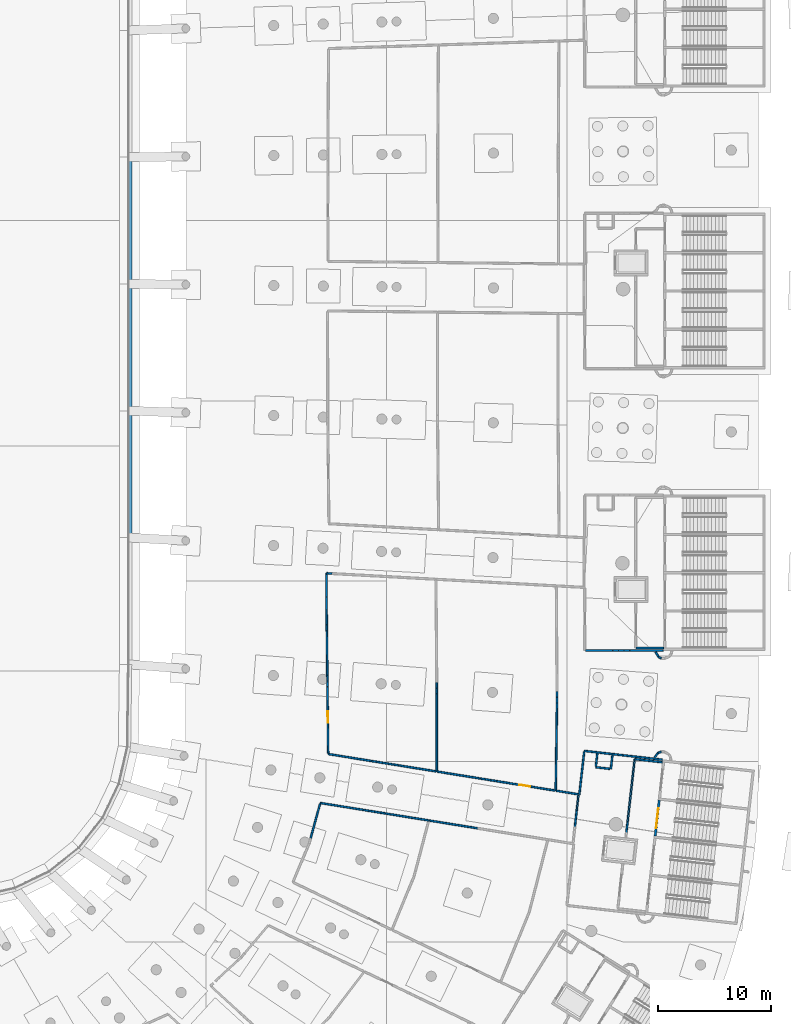
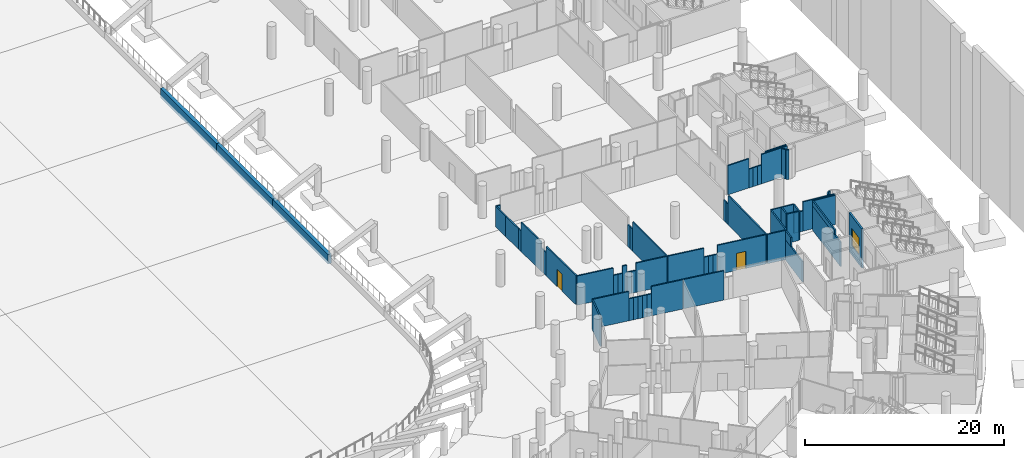
# One storey, part 61 of 142: 63 walls, 3 doors, 3 openings.
"""IFC4 building model written with IfcOpenShell, lengths in metres."""

import ifcopenshell
import ifcopenshell.guid

model = None  # the IFC model being written
_history = None  # IfcOwnerHistory: only IFC2X3 demands one
_inside = {}  # id of a spatial element -> (the spatial element, [elements in it])
_under = {}  # id of a project, library or spatial element -> (it, [spatial elements below it])
_declared = {}  # id of a project -> (the project, [libraries it declares])
_typed = {}  # id of a type object -> (the type object, [elements of that type])
_made_of = {}  # id of a material, layer set ... -> (it, [elements and type objects made of it])


def new_model(schema):
    """Start an empty IFC model of exactly this schema.

    Asked for "IFC4X3", IfcOpenShell would pick the latest addendum, in which some entities
    have other attributes; the version numbers below select the first issue.
    IFC2X3 requires an IfcOwnerHistory on every rooted entity: one is made here for all.
    """
    global model, _history
    if schema == "IFC4X3":
        model = ifcopenshell.file(schema_version=(4, 3, 0, 0))
    else:
        model = ifcopenshell.file(schema=schema)
    _inside.clear()
    _under.clear()
    _declared.clear()
    _typed.clear()
    _made_of.clear()
    _history = None
    if model.schema == "IFC2X3":
        org = make("IfcOrganization", Name="unknown")
        user = make(
            "IfcPersonAndOrganization",
            ThePerson=make("IfcPerson", FamilyName="unknown"),
            TheOrganization=org,
        )
        app = make(
            "IfcApplication",
            ApplicationDeveloper=org,
            Version="unknown",
            ApplicationFullName="unknown",
            ApplicationIdentifier="unknown",
        )
        _history = make(
            "IfcOwnerHistory",
            OwningUser=user,
            OwningApplication=app,
            ChangeAction="ADDED",
            CreationDate=0,
        )
    return model


def make(cls, **values):
    """One entity of the class cls with the attributes given. An attribute that is None is left unset."""
    return model.create_entity(
        cls, **{name: value for name, value in values.items() if value is not None}
    )


def rooted(cls, **values):
    """An entity with a GlobalId (a new one), such as an element, a storey or a relation."""
    return make(cls, GlobalId=ifcopenshell.guid.new(), OwnerHistory=_history, **values)


def si_unit(unit_type, name, prefix=None):
    """IfcSIUnit, for example si_unit("LENGTHUNIT", "METRE", prefix="MILLI")."""
    return make("IfcSIUnit", UnitType=unit_type, Prefix=prefix, Name=name)


def assignment(units):
    """IfcUnitAssignment: the units of a project."""
    return None if units is None else make("IfcUnitAssignment", Units=units)


def point(xyz):
    """IfcCartesianPoint."""
    return None if xyz is None else make("IfcCartesianPoint", Coordinates=xyz)


def direction(xyz):
    """IfcDirection."""
    return None if xyz is None else make("IfcDirection", DirectionRatios=xyz)


def frame(location, z_axis=None, x_axis=None):
    """IfcAxis2Placement3D, a coordinate frame: its origin and axes. An axis left out is left unset."""
    return make(
        "IfcAxis2Placement3D",
        Location=point(location),
        Axis=direction(z_axis),
        RefDirection=direction(x_axis),
    )


def frame_2d(location, x_axis=None):
    """IfcAxis2Placement2D, a coordinate frame in the plane: its origin and x axis."""
    return make(
        "IfcAxis2Placement2D", Location=point(location), RefDirection=direction(x_axis)
    )


def origin():
    """The frame at (0, 0, 0) with its axes left unset."""
    return frame((0.0, 0.0, 0.0))


def place(relative_to, where):
    """IfcLocalPlacement: puts the frame where relative to a parent placement (None: the world)."""
    return make(
        "IfcLocalPlacement", PlacementRelTo=relative_to, RelativePlacement=where
    )


def context(
    kind, dimensions, precision=None, world=None, true_north=None, identifier=None
):
    """IfcGeometricRepresentationContext, for example the 3D "Model" context."""
    return make(
        "IfcGeometricRepresentationContext",
        ContextIdentifier=identifier,
        ContextType=kind,
        CoordinateSpaceDimension=dimensions,
        Precision=precision,
        WorldCoordinateSystem=world,
        TrueNorth=true_north,
    )


def subcontext(parent, identifier, kind, view, scale=None):
    """IfcGeometricRepresentationSubContext, for example "Body" below "Model"."""
    return make(
        "IfcGeometricRepresentationSubContext",
        ContextIdentifier=identifier,
        ContextType=kind,
        ParentContext=parent,
        TargetScale=scale,
        TargetView=view,
    )


def project(units=None, contexts=None):
    """IfcProject with its units and contexts."""
    return rooted(
        "IfcProject",
        Name="project",
        RepresentationContexts=contexts,
        UnitsInContext=assignment(units),
    )


def spatial(cls, under=None, at=None, **own):
    """A site, building, storey or space (cls), placed at a placement, below another one or the project."""
    s = rooted(cls, ObjectPlacement=at, **own)
    if under is not None:
        _under.setdefault(under.id(), (under, []))[1].append(s)
    return s


def profile(cls, at=None, kind="AREA", **sizes):
    """A parametric profile (cls). Its sizes go by their IFC names, for example OverallWidth=200.0."""
    return make(cls, ProfileType=kind, Position=at, **sizes)


def rectangle(**sizes):
    """IfcRectangleProfileDef."""
    return profile("IfcRectangleProfileDef", **sizes)


def extrude(swept, where, along, depth):
    """IfcExtrudedAreaSolid: the profile swept, set in the frame where, extruded along a direction by depth."""
    return make(
        "IfcExtrudedAreaSolid",
        SweptArea=swept,
        Position=where,
        ExtrudedDirection=direction(along),
        Depth=depth,
    )


def shape(context_of_items, identifier, shape_type, items):
    """IfcShapeRepresentation: the items that make up one representation, for example the "Body"."""
    return make(
        "IfcShapeRepresentation",
        ContextOfItems=context_of_items,
        RepresentationIdentifier=identifier,
        RepresentationType=shape_type,
        Items=items,
    )


def material(Name=None, Category=None):
    """IfcMaterial."""
    return make("IfcMaterial", Name=Name, Category=Category)


def layer(
    of_material, thickness, ventilated=None, Name=None, Category=None, Priority=None
):
    """IfcMaterialLayer: one layer of a wall or slab, of a material (None: an air gap)."""
    return make(
        "IfcMaterialLayer",
        Material=of_material,
        LayerThickness=thickness,
        IsVentilated=ventilated,
        Name=Name,
        Category=Category,
        Priority=Priority,
    )


def layer_set(layers, Name=None):
    """IfcMaterialLayerSet."""
    return make("IfcMaterialLayerSet", MaterialLayers=layers, LayerSetName=Name)


def made_of(thing, what):
    """Note that an element or type object is made of a material, layer set ...; save() writes the relation."""
    if what is not None:
        _made_of.setdefault(what.id(), (what, []))[1].append(thing)
    return thing


def type_object(cls, material=None, **own):
    """A type object (cls), such as IfcWallType, which elements share."""
    return made_of(rooted(cls, **own), material)


def element(
    cls,
    number,
    at=None,
    inside=None,
    cuts=None,
    type_object=None,
    material=None,
    context=None,
    identifier="Body",
    shape_type=None,
    held_by="IfcProductDefinitionShape",
    body=None,
    shapes=None,
    **own,
):
    """One element of the class cls, such as IfcWall. Its Tag is "e" and its number.

    at: its placement. inside: the storey or other place that contains it. cuts: it is an
    opening in that element (IfcRelVoidsElement). A single representation is given by context,
    identifier, shape_type and body (its items); several are given by shapes. held_by: the class
    of the entity that holds the representations. save() writes the other relations.
    """
    e = rooted(cls, Tag="e%d" % number, ObjectPlacement=at, **own)
    if body is not None:
        shapes = [shape(context, identifier, shape_type, body)]
    if shapes is not None:
        e.Representation = make(held_by, Representations=shapes)
    if inside is not None:
        _inside.setdefault(inside.id(), (inside, []))[1].append(e)
    if cuts is not None:
        rooted(
            "IfcRelVoidsElement", RelatingBuildingElement=cuts, RelatedOpeningElement=e
        )
    if type_object is not None:
        _typed.setdefault(type_object.id(), (type_object, []))[1].append(e)
    return made_of(e, material)


def fill(opening, filler):
    """IfcRelFillsElement: the door or window that sits in an opening."""
    return rooted(
        "IfcRelFillsElement",
        RelatingOpeningElement=opening,
        RelatedBuildingElement=filler,
    )


def aggregate(whole, parts):
    """IfcRelAggregates: a whole, such as a stair, and the parts it consists of."""
    return rooted("IfcRelAggregates", RelatingObject=whole, RelatedObjects=parts)


def save(model, path):
    """Write the relations noted so far, then the file.

    IfcRelAggregates (storeys below a building ...), IfcRelContainedInSpatialStructure (elements
    in a storey), IfcRelDefinesByType, IfcRelAssociatesMaterial and IfcRelDeclares: one each for
    every whole, place, type object, material and project.
    """
    for whole, parts in _under.values():
        aggregate(whole, parts)
    for where, things in _inside.values():
        rooted(
            "IfcRelContainedInSpatialStructure",
            RelatedElements=things,
            RelatingStructure=where,
        )
    for kind, things in _typed.values():
        rooted("IfcRelDefinesByType", RelatedObjects=things, RelatingType=kind)
    for what, things in _made_of.values():
        rooted("IfcRelAssociatesMaterial", RelatedObjects=things, RelatingMaterial=what)
    for by, libraries in _declared.values():
        rooted("IfcRelDeclares", RelatingContext=by, RelatedDefinitions=libraries)
    model.write(path)


model = new_model("IFC4")

# Units and contexts
model_context = context("Model", 3, precision=1e-05, world=origin(), true_north=direction((0.0, 1.0)))
body_context = subcontext(model_context, "Body", "Model", "MODEL_VIEW")
ifc_project = project(units=[si_unit("LENGTHUNIT", "METRE"), si_unit("AREAUNIT", "SQUARE_METRE"), si_unit("VOLUMEUNIT", "CUBIC_METRE"), si_unit("PLANEANGLEUNIT", "RADIAN"), si_unit("MASSUNIT", "GRAM", prefix="KILO")], contexts=[model_context])

# Site, building, storey
site_placement = place(None, origin())
site = spatial("IfcSite", under=ifc_project, at=site_placement, CompositionType="ELEMENT")
building_placement = place(site_placement, origin())
building = spatial("IfcBuilding", under=site, at=building_placement, Name="Meseta Stadium", CompositionType="ELEMENT")
storey_placement = place(building_placement, frame((0.0, 0.0, -4.0)))
storey = spatial("IfcBuildingStorey", under=building, at=storey_placement, Name="B1", CompositionType="ELEMENT", Elevation=-4.0)

# Wall, opening, door
ifc_material_1 = material(Name="Concrete C40/50", Category="concrete")
ifc_layer_1 = layer(ifc_material_1, 0.199951171875)
ifc_layer_set_1 = layer_set([ifc_layer_1], Name="Core shaft wall 200")
wall_type_1 = type_object("IfcWallType", Name="Core shaft wall 200", PredefinedType="SHEAR", material=ifc_layer_set_1)
wall_1_placement = place(storey_placement, frame((87.846435546875, -54.6142578125, -1.199951171875), z_axis=(0.0, 0.0, 1.0), x_axis=(0.112005735442, 0.993707560215, 0.0)))
wall_1 = element("IfcWall", 1, at=wall_1_placement, inside=storey, type_object=wall_type_1, Name="Core 01 B1 stair B1 inner end wall", PredefinedType="SHEAR", context=body_context, shape_type="SweptSolid", body=[
    extrude(rectangle(XDim=3.19970703125, YDim=0.199951171875, at=frame_2d((1.599853515625, 0.0))), origin(), (0.0, 0.0, 1.0), 4.800048828125),
])
opening_1_placement = place(wall_1_placement, frame((0.699951171875, 0.0, 1.199951171875)))
opening_1 = element("IfcOpeningElement", 2, at=opening_1_placement, cuts=wall_1, Name="Opening D033", PredefinedType="OPENING", context=body_context, shape_type="SweptSolid", body=[
    extrude(rectangle(XDim=1.800048828125, YDim=2.10009765625, at=frame_2d((0.89990234375, 1.050048828125))), frame((0.0, 0.10986328125, 0.0), z_axis=(0.0, -1.0, 0.0), x_axis=(1.0, 0.0, 0.0)), (0.0, 0.0, 1.0), 0.219970703125),
])
ifc_material_2 = material(Name="Steel", Category="steel")
door_type_1 = type_object("IfcDoorType", Name="Stair door 1800x2100", OperationType="DOUBLE_DOOR_SINGLE_SWING", PredefinedType="DOOR", material=ifc_material_2)
door_1_placement = place(opening_1_placement, origin())
door_1 = element("IfcDoor", 3, at=door_1_placement, inside=storey, type_object=door_type_1, Name="Stair B1 door 01 B1", OperationType="DOUBLE_DOOR_SINGLE_SWING", OverallHeight=2.10009765625, OverallWidth=1.800048828125, PredefinedType="DOOR", context=body_context, shape_type="SweptSolid", body=[
    extrude(rectangle(XDim=1.800048828125, YDim=2.10009765625, at=frame_2d((0.89990234375, 1.050048828125))), frame((0.0, 0.02490234375, 0.0), z_axis=(0.0, -1.0, 0.0), x_axis=(1.0, 0.0, 0.0)), (0.0, 0.0, 1.0), 0.050048828125),
])
fill(opening_1, door_1)

# Walls
ifc_material_3 = material(Name="Masonry blockwork", Category="masonry")
ifc_layer_2 = layer(ifc_material_3, 0.14990234375)
ifc_layer_set_2 = layer_set([ifc_layer_2], Name="Partition 150")
wall_type_2 = type_object("IfcWallType", Name="Partition 150", PredefinedType="PARTITIONING", material=ifc_layer_set_2)
wall_2_placement = place(storey_placement, frame((68.465087890625, -41.000732421875, 0.0), z_axis=(0.0, 0.0, 1.0), x_axis=(0.008598569316, -0.99996303162, 0.0)))
element("IfcWall", 4, at=wall_2_placement, inside=storey, type_object=wall_type_2, Name="Partition B1 B1-cell00-1-0", PredefinedType="PARTITIONING", context=body_context, shape_type="SweptSolid", body=[
    extrude(rectangle(XDim=0.482666015625, YDim=0.14990234375, at=frame_2d((0.2412109375, 0.0))), origin(), (0.0, 0.0, 1.0), 2.699951171875),
])
wall_3_placement = place(storey_placement, frame((68.46923828125, -41.4833984375, 0.0), z_axis=(0.0, 0.0, 1.0), x_axis=(-0.001978235496, -0.99999804329, 0.0)))
element("IfcWall", 5, at=wall_3_placement, inside=storey, type_object=wall_type_2, Name="Partition B1 B1-cell00-1-0", PredefinedType="PARTITIONING", context=body_context, shape_type="SweptSolid", body=[
    extrude(rectangle(XDim=0.49365234375, YDim=0.14990234375, at=frame_2d((0.246826171875, 0.0))), origin(), (0.0, 0.0, 1.0), 2.699951171875),
])
wall_4_placement = place(storey_placement, frame((68.46826171875, -41.97705078125, 0.0), z_axis=(0.0, 0.0, 1.0), x_axis=(-0.00190758449, -0.999998180559, 0.0)))
element("IfcWall", 6, at=wall_4_placement, inside=storey, type_object=wall_type_2, Name="Partition B1 B1-cell00-1-0", PredefinedType="PARTITIONING", context=body_context, shape_type="SweptSolid", body=[
    extrude(rectangle(XDim=6.9111328125, YDim=0.14990234375, at=frame_2d((3.45556640625, 0.0))), origin(), (0.0, 0.0, 1.0), 3.60009765625),
])
wall_5_placement = place(storey_placement, frame((68.3798828125, -48.8759765625, 0.0), z_axis=(0.0, 0.0, 1.0), x_axis=(-0.987277089278, 0.159009273273, 0.0)))
element("IfcWall", 7, at=wall_5_placement, inside=storey, type_object=wall_type_2, Name="Partition B1 B1-cell00-1-0", PredefinedType="PARTITIONING", context=body_context, shape_type="SweptSolid", body=[
    extrude(rectangle(XDim=3.33642578125, YDim=0.14990234375, at=frame_2d((1.668212890625, 0.0))), origin(), (0.0, 0.0, 1.0), 3.60009765625),
])
wall_6_placement = place(storey_placement, frame((65.0859375, -48.345458984375, 0.0), z_axis=(0.0, 0.0, 1.0), x_axis=(-0.987246197614, 0.159200958844, 0.0)))
element("IfcWall", 8, at=wall_6_placement, inside=storey, type_object=wall_type_2, Name="Partition B1 B1-cell00-1-0", PredefinedType="PARTITIONING", context=body_context, shape_type="SweptSolid", body=[
    extrude(rectangle(XDim=0.487548828125, YDim=0.14990234375, at=frame_2d((0.24365234375, 0.0))), origin(), (0.0, 0.0, 1.0), 2.699951171875),
])
wall_7_placement = place(storey_placement, frame((64.6044921875, -48.267822265625, 0.0), z_axis=(0.0, 0.0, 1.0), x_axis=(-0.987312146687, 0.158791451294, 0.0)))
element("IfcWall", 9, at=wall_7_placement, inside=storey, type_object=wall_type_2, Name="Partition B1 B1-cell00-1-0", PredefinedType="PARTITIONING", context=body_context, shape_type="SweptSolid", body=[
    extrude(rectangle(XDim=0.4873046875, YDim=0.14990234375, at=frame_2d((0.24365234375, 0.0))), origin(), (0.0, 0.0, 1.0), 2.699951171875),
])
wall_8_placement = place(storey_placement, frame((64.123291015625, -48.1904296875, 0.0), z_axis=(0.0, 0.0, 1.0), x_axis=(-0.987233499712, 0.159279681841, 0.0)))
element("IfcWall", 10, at=wall_8_placement, inside=storey, type_object=wall_type_2, Name="Partition B1 B1-cell00-1-0", PredefinedType="PARTITIONING", context=body_context, shape_type="SweptSolid", body=[
    extrude(rectangle(XDim=0.4873046875, YDim=0.14990234375, at=frame_2d((0.24365234375, 0.0))), origin(), (0.0, 0.0, 1.0), 3.60009765625),
])
wall_9_placement = place(storey_placement, frame((63.64208984375, -48.11279296875, 0.0), z_axis=(0.0, 0.0, 1.0), x_axis=(-0.987324767868, 0.158712957107, 0.0)))
element("IfcWall", 11, at=wall_9_placement, inside=storey, type_object=wall_type_2, Name="Partition B1 B1-cell00-1-0", PredefinedType="PARTITIONING", context=body_context, shape_type="SweptSolid", body=[
    extrude(rectangle(XDim=0.487548828125, YDim=0.14990234375, at=frame_2d((0.24365234375, 0.0))), origin(), (0.0, 0.0, 1.0), 2.699951171875),
])
wall_10_placement = place(storey_placement, frame((63.16064453125, -48.035400390625, 0.0), z_axis=(0.0, 0.0, 1.0), x_axis=(-0.987312146687, 0.158791451294, 0.0)))
element("IfcWall", 12, at=wall_10_placement, inside=storey, type_object=wall_type_2, Name="Partition B1 B1-cell00-1-0", PredefinedType="PARTITIONING", context=body_context, shape_type="SweptSolid", body=[
    extrude(rectangle(XDim=0.4873046875, YDim=0.14990234375, at=frame_2d((0.24365234375, 0.0))), origin(), (0.0, 0.0, 1.0), 2.699951171875),
])
wall_11_placement = place(storey_placement, frame((62.679443359375, -47.9580078125, 0.0), z_axis=(0.0, 0.0, 1.0), x_axis=(-0.987279183919, 0.158996267255, 0.0)))
element("IfcWall", 13, at=wall_11_placement, inside=storey, type_object=wall_type_2, Name="Partition B1 B1-cell00-1-0", PredefinedType="PARTITIONING", context=body_context, shape_type="SweptSolid", body=[
    extrude(rectangle(XDim=3.900146484375, YDim=0.14990234375, at=frame_2d((1.9501953125, 0.0))), origin(), (0.0, 0.0, 1.0), 3.60009765625),
])

# Wall, opening, door
wall_12_placement = place(storey_placement, frame((58.828125, -47.26171875, 0.0), z_axis=(0.0, 0.0, 1.0), x_axis=(-0.011009722176, 0.999939391172, 0.0)))
wall_12 = element("IfcWall", 14, at=wall_12_placement, inside=storey, type_object=wall_type_2, Name="Partition B1 B1-cell00-1-0", PredefinedType="PARTITIONING", context=body_context, shape_type="SweptSolid", body=[
    extrude(rectangle(XDim=5.8984375, YDim=0.14990234375, at=frame_2d((2.94921875, 0.0))), origin(), (0.0, 0.0, 1.0), 3.60009765625),
])
opening_2_placement = place(wall_12_placement, frame((2.699951171875, 0.0, 0.0)))
opening_2 = element("IfcOpeningElement", 15, at=opening_2_placement, cuts=wall_12, Name="Opening D433", PredefinedType="OPENING", context=body_context, shape_type="SweptSolid", body=[
    extrude(rectangle(XDim=1.0, YDim=2.10009765625, at=frame_2d((0.5, 1.050048828125))), frame((0.0, 0.0849609375, 0.0), z_axis=(0.0, -1.0, 0.0), x_axis=(1.0, 0.0, 0.0)), (0.0, 0.0, 1.0), 0.169921875),
])
ifc_material_4 = material(Name="Steel", Category="steel")
door_type_2 = type_object("IfcDoorType", Name="Fire door 1000x2100 EI2 60", OperationType="NOTDEFINED", PredefinedType="DOOR", material=ifc_material_4)
door_2_placement = place(opening_2_placement, origin())
door_2 = element("IfcDoor", 16, at=door_2_placement, inside=storey, type_object=door_type_2, Name="Door D433", OperationType="SINGLE_SWING_RIGHT", OverallHeight=2.10009765625, OverallWidth=1.0, PredefinedType="DOOR", context=body_context, shape_type="SweptSolid", body=[
    extrude(rectangle(XDim=1.0, YDim=2.10009765625, at=frame_2d((0.5, 1.050048828125))), frame((0.0, 0.02490234375, 0.0), z_axis=(0.0, -1.0, 0.0), x_axis=(1.0, 0.0, 0.0)), (0.0, 0.0, 1.0), 0.050048828125),
])
fill(opening_2, door_2)

# Walls
for number, where, z_axis, x_axis, name in (
    (17, (58.76318359375, -41.363525390625, 0.0), (0.0, 0.0, 1.0), (-0.010788974763, 0.999941797318, 0.0), "Partition B1 B1-cell00-1-0"),
    (18, (58.7578125, -40.86572265625, 0.0), (0.0, 0.0, 1.0), (-0.010788974763, 0.999941797318, 0.0), "Partition B1 B1-cell00-1-0"),
):
    element("IfcWall", number, at=place(storey_placement, frame(where, z_axis=z_axis, x_axis=x_axis)), inside=storey, type_object=wall_type_2, Name=name, PredefinedType="PARTITIONING", context=body_context, shape_type="SweptSolid", body=[
        extrude(rectangle(XDim=0.497802734375, YDim=0.14990234375, at=frame_2d((0.2490234375, 0.0))), origin(), (0.0, 0.0, 1.0), 2.85009765625),
    ])
wall_13_placement = place(storey_placement, frame((58.75244140625, -40.367919921875, 0.0), z_axis=(0.0, 0.0, 1.0), x_axis=(-0.010972183221, 0.999939803786, 0.0)))
element("IfcWall", 19, at=wall_13_placement, inside=storey, type_object=wall_type_2, Name="Partition B1 B1-cell00-1-0", PredefinedType="PARTITIONING", context=body_context, shape_type="SweptSolid", body=[
    extrude(rectangle(XDim=3.98291015625, YDim=0.14990234375, at=frame_2d((1.991455078125, 0.0))), origin(), (0.0, 0.0, 1.0), 3.60009765625),
])
wall_14_placement = place(storey_placement, frame((58.708740234375, -36.38525390625, 0.0), z_axis=(0.0, 0.0, 1.0), x_axis=(-0.011279321671, 0.999936386428, 0.0)))
element("IfcWall", 20, at=wall_14_placement, inside=storey, type_object=wall_type_2, Name="Partition B1 B1-cell00-1-0", PredefinedType="PARTITIONING", context=body_context, shape_type="SweptSolid", body=[
    extrude(rectangle(XDim=0.497802734375, YDim=0.14990234375, at=frame_2d((0.2490234375, 0.0))), origin(), (0.0, 0.0, 1.0), 2.5),
])
wall_15_placement = place(storey_placement, frame((58.703125, -35.887451171875, 0.0), z_axis=(0.0, 0.0, 1.0), x_axis=(-0.010984037215, 0.999939673644, 0.0)))
element("IfcWall", 21, at=wall_15_placement, inside=storey, type_object=wall_type_2, Name="Partition B1 B1-cell00-1-0", PredefinedType="PARTITIONING", context=body_context, shape_type="SweptSolid", body=[
    extrude(rectangle(XDim=2.489501953125, YDim=0.14990234375, at=frame_2d((1.24462890625, 0.0))), origin(), (0.0, 0.0, 1.0), 2.5),
])
wall_16_placement = place(storey_placement, frame((58.67578125, -33.398193359375, 0.0), z_axis=(0.0, 0.0, 1.0), x_axis=(0.001162249331, 0.999999324588, 0.0)))
element("IfcWall", 22, at=wall_16_placement, inside=storey, type_object=wall_type_2, Name="Partition B1 B1-cell00-1-0", PredefinedType="PARTITIONING", context=body_context, shape_type="SweptSolid", body=[
    extrude(rectangle(XDim=2.1005859375, YDim=0.14990234375, at=frame_2d((1.05029296875, 0.0))), origin(), (0.0, 0.0, 1.0), 2.5),
])
wall_17_placement = place(storey_placement, frame((58.67822265625, -31.297607421875, 0.0), z_axis=(0.0, 0.0, 1.0), x_axis=(0.998501776603, -0.054719302991, 0.0)))
element("IfcWall", 23, at=wall_17_placement, inside=storey, type_object=wall_type_2, Name="Partition B1 B1-cell00-1-0", PredefinedType="PARTITIONING", context=body_context, shape_type="SweptSolid", body=[
    extrude(rectangle(XDim=0.486328125, YDim=0.14990234375, at=frame_2d((0.2431640625, 0.0))), origin(), (0.0, 0.0, 1.0), 2.5),
])
wall_18_placement = place(storey_placement, frame((79.134521484375, -41.807861328125, 0.0), z_axis=(0.0, 0.0, 1.0), x_axis=(0.006419620801, -0.999979394022, 0.0)))
element("IfcWall", 24, at=wall_18_placement, inside=storey, type_object=wall_type_2, Name="Partition B1 B1-cell00-2-0", PredefinedType="PARTITIONING", context=body_context, shape_type="SweptSolid", body=[
    extrude(rectangle(XDim=0.494384765625, YDim=0.14990234375, at=frame_2d((0.2470703125, 0.0))), origin(), (0.0, 0.0, 1.0), 2.5),
])
wall_19_placement = place(storey_placement, frame((79.1376953125, -42.30224609375, 0.0), z_axis=(0.0, 0.0, 1.0), x_axis=(-0.014019653558, -0.999901719828, 0.0)))
element("IfcWall", 25, at=wall_19_placement, inside=storey, type_object=wall_type_2, Name="Partition B1 B1-cell00-2-0", PredefinedType="PARTITIONING", context=body_context, shape_type="SweptSolid", body=[
    extrude(rectangle(XDim=0.487548828125, YDim=0.14990234375, at=frame_2d((0.24365234375, 0.0))), origin(), (0.0, 0.0, 1.0), 2.5),
])
wall_20_placement = place(storey_placement, frame((79.130859375, -42.789794921875, 0.0), z_axis=(0.0, 0.0, 1.0), x_axis=(-0.014366063558, -0.999896802784, 0.0)))
element("IfcWall", 26, at=wall_20_placement, inside=storey, type_object=wall_type_2, Name="Partition B1 B1-cell00-2-0", PredefinedType="PARTITIONING", context=body_context, shape_type="SweptSolid", body=[
    extrude(rectangle(XDim=7.80029296875, YDim=0.14990234375, at=frame_2d((3.900146484375, 0.0))), origin(), (0.0, 0.0, 1.0), 3.60009765625),
])

# Wall, opening, door
wall_21_placement = place(storey_placement, frame((78.944091796875, -50.577392578125, 0.0), z_axis=(0.0, 0.0, 1.0), x_axis=(-0.98727553228, 0.159018940258, 0.0)))
wall_21 = element("IfcWall", 27, at=wall_21_placement, inside=storey, type_object=wall_type_2, Name="Partition B1 B1-cell00-2-0", PredefinedType="PARTITIONING", context=body_context, shape_type="SweptSolid", body=[
    extrude(rectangle(XDim=5.249267578125, YDim=0.14990234375, at=frame_2d((2.62451171875, 0.0))), origin(), (0.0, 0.0, 1.0), 3.60009765625),
])
opening_3_placement = place(wall_21_placement, frame((2.199951171875, 0.0, 0.0)))
opening_3 = element("IfcOpeningElement", 28, at=opening_3_placement, cuts=wall_21, Name="Opening D434", PredefinedType="OPENING", context=body_context, shape_type="SweptSolid", body=[
    extrude(rectangle(XDim=1.0, YDim=2.10009765625, at=frame_2d((0.5, 1.050048828125))), frame((0.0, 0.0849609375, 0.0), z_axis=(0.0, -1.0, 0.0), x_axis=(1.0, 0.0, 0.0)), (0.0, 0.0, 1.0), 0.169921875),
])
ifc_material_5 = material(Name="Steel", Category="steel")
door_type_3 = type_object("IfcDoorType", Name="Fire door 1000x2100 EI2 120", OperationType="NOTDEFINED", PredefinedType="DOOR", material=ifc_material_5)
door_3_placement = place(opening_3_placement, origin())
door_3 = element("IfcDoor", 29, at=door_3_placement, inside=storey, type_object=door_type_3, Name="Door D434", OperationType="SINGLE_SWING_RIGHT", OverallHeight=2.10009765625, OverallWidth=1.0, PredefinedType="DOOR", context=body_context, shape_type="SweptSolid", body=[
    extrude(rectangle(XDim=1.0, YDim=2.10009765625, at=frame_2d((0.5, 1.050048828125))), frame((0.0, 0.02490234375, 0.0), z_axis=(0.0, -1.0, 0.0), x_axis=(1.0, 0.0, 0.0)), (0.0, 0.0, 1.0), 0.050048828125),
])
fill(opening_3, door_3)

# Walls
for number, where, z_axis, x_axis, name in (
    (30, (73.76171875, -49.74267578125, 0.0), (0.0, 0.0, 1.0), (-0.987304966303, 0.158836090085, 0.0), "Partition B1 B1-cell00-2-0"),
    (31, (73.28369140625, -49.665771484375, 0.0), (0.0, 0.0, 1.0), (-0.987304966303, 0.158836090085, 0.0), "Partition B1 B1-cell00-2-0"),
):
    element("IfcWall", number, at=place(storey_placement, frame(where, z_axis=z_axis, x_axis=x_axis)), inside=storey, type_object=wall_type_2, Name=name, PredefinedType="PARTITIONING", context=body_context, shape_type="SweptSolid", body=[
        extrude(rectangle(XDim=0.484130859375, YDim=0.14990234375, at=frame_2d((0.2421875, 0.0))), origin(), (0.0, 0.0, 1.0), 2.5),
    ])
wall_22_placement = place(storey_placement, frame((72.8056640625, -49.5888671875, 0.0), z_axis=(0.0, 0.0, 1.0), x_axis=(-0.987212966483, 0.15940689699, 0.0)))
element("IfcWall", 32, at=wall_22_placement, inside=storey, type_object=wall_type_2, Name="Partition B1 B1-cell00-2-0", PredefinedType="PARTITIONING", context=body_context, shape_type="SweptSolid", body=[
    extrude(rectangle(XDim=0.48388671875, YDim=0.14990234375, at=frame_2d((0.241943359375, 0.0))), origin(), (0.0, 0.0, 1.0), 2.5),
])
wall_23_placement = place(storey_placement, frame((72.327880859375, -49.51171875, 0.0), z_axis=(0.0, 0.0, 1.0), x_axis=(-0.987280411131, 0.158988646758, 0.0)))
element("IfcWall", 33, at=wall_23_placement, inside=storey, type_object=wall_type_2, Name="Partition B1 B1-cell00-2-0", PredefinedType="PARTITIONING", context=body_context, shape_type="SweptSolid", body=[
    extrude(rectangle(XDim=3.872802734375, YDim=0.14990234375, at=frame_2d((1.9365234375, 0.0))), origin(), (0.0, 0.0, 1.0), 3.60009765625),
])
wall_24_placement = place(storey_placement, frame((88.46875, -47.84130859375, 0.0), z_axis=(0.0, 0.0, 1.0), x_axis=(-0.993720107873, 0.111894357364, 0.0)))
element("IfcWall", 34, at=wall_24_placement, inside=storey, type_object=wall_type_2, Name="Partition B1 B1-cell00-3-0", PredefinedType="PARTITIONING", context=body_context, shape_type="SweptSolid", body=[
    extrude(rectangle(XDim=3.480224609375, YDim=0.14990234375, at=frame_2d((1.740234375, 0.0))), origin(), (0.0, 0.0, 1.0), 3.60009765625),
])
for number, where, z_axis, x_axis, name in (
    (35, (85.010498046875, -47.451904296875, 0.0), (0.0, 0.0, 1.0), (-0.99365400415, 0.112479865027, 0.0), "Partition B1 B1-cell00-3-0"),
    (36, (84.5166015625, -47.39599609375, 0.0), (0.0, 0.0, 1.0), (-0.99376333691, 0.111509776312, 0.0), "Partition B1 B1-cell00-3-0"),
):
    element("IfcWall", number, at=place(storey_placement, frame(where, z_axis=z_axis, x_axis=x_axis)), inside=storey, type_object=wall_type_2, Name=name, PredefinedType="PARTITIONING", context=body_context, shape_type="SweptSolid", body=[
        extrude(rectangle(XDim=0.4970703125, YDim=0.14990234375, at=frame_2d((0.24853515625, 0.0))), origin(), (0.0, 0.0, 1.0), 2.5),
    ])
wall_25_placement = place(storey_placement, frame((84.022705078125, -47.340576171875, 0.0), z_axis=(0.0, 0.0, 1.0), x_axis=(-0.993701549417, 0.112059049998, 0.0)))
element("IfcWall", 37, at=wall_25_placement, inside=storey, type_object=wall_type_2, Name="Partition B1 B1-cell00-3-0", PredefinedType="PARTITIONING", context=body_context, shape_type="SweptSolid", body=[
    extrude(rectangle(XDim=2.48583984375, YDim=0.14990234375, at=frame_2d((1.242919921875, 0.0))), origin(), (0.0, 0.0, 1.0), 3.60009765625),
])
wall_26_placement = place(storey_placement, frame((81.544189453125, -47.13671875, 0.0), z_axis=(0.0, 0.0, 1.0), x_axis=(-0.111997797138, -0.993708454949, 0.0)))
element("IfcWall", 38, at=wall_26_placement, inside=storey, type_object=wall_type_2, Name="Partition B1 B1-cell00-3-0", PredefinedType="PARTITIONING", context=body_context, shape_type="SweptSolid", body=[
    extrude(rectangle(XDim=3.814697265625, YDim=0.14990234375, at=frame_2d((1.9072265625, 0.0))), origin(), (0.0, 0.0, 1.0), 3.60009765625),
])
wall_27_placement = place(storey_placement, frame((81.042724609375, -50.915283203125, 0.0), z_axis=(0.0, 0.0, 1.0), x_axis=(-0.987289357967, 0.158933079139, 0.0)))
element("IfcWall", 39, at=wall_27_placement, inside=storey, type_object=wall_type_2, Name="Partition B1 B1-cell00-3-0", PredefinedType="PARTITIONING", context=body_context, shape_type="SweptSolid", body=[
    extrude(rectangle(XDim=2.0, YDim=0.14990234375, at=frame_2d((1.0, 0.0))), origin(), (0.0, 0.0, 1.0), 3.60009765625),
])
wall_28_placement = place(storey_placement, frame((81.675048828125, -38.14990234375, 0.0), z_axis=(0.0, 0.0, 1.0), x_axis=(1.0, 0.0, 0.0)))
element("IfcWall", 40, at=wall_28_placement, inside=storey, type_object=wall_type_2, Name="Partition B1 B1-cell00-3-0", PredefinedType="PARTITIONING", context=body_context, shape_type="SweptSolid", body=[
    extrude(rectangle(XDim=2.41064453125, YDim=0.14990234375, at=frame_2d((1.205322265625, 0.0))), origin(), (0.0, 0.0, 1.0), 3.60009765625),
])
wall_29_placement = place(storey_placement, frame((84.085693359375, -38.14990234375, 0.0), z_axis=(0.0, 0.0, 1.0), x_axis=(1.0, 0.0, 0.0)))
element("IfcWall", 41, at=wall_29_placement, inside=storey, type_object=wall_type_2, Name="Partition B1 B1-cell00-3-0", PredefinedType="PARTITIONING", context=body_context, shape_type="SweptSolid", body=[
    extrude(rectangle(XDim=0.497314453125, YDim=0.14990234375, at=frame_2d((0.24853515625, 0.0))), origin(), (0.0, 0.0, 1.0), 2.300048828125),
])
for number, where, z_axis, x_axis, name in (
    (42, (84.5830078125, -38.14990234375, 0.0), (0.0, 0.0, 1.0), (1.0, 0.0, 0.0), "Partition B1 B1-cell00-3-0"),
    (43, (85.080078125, -38.14990234375, 0.0), (0.0, 0.0, 1.0), (1.0, 0.0, 0.0), "Partition B1 B1-cell00-3-0"),
):
    element("IfcWall", number, at=place(storey_placement, frame(where, z_axis=z_axis, x_axis=x_axis)), inside=storey, type_object=wall_type_2, Name=name, PredefinedType="PARTITIONING", context=body_context, shape_type="SweptSolid", body=[
        extrude(rectangle(XDim=0.4970703125, YDim=0.14990234375, at=frame_2d((0.24853515625, 0.0))), origin(), (0.0, 0.0, 1.0), 2.300048828125),
    ])
wall_30_placement = place(storey_placement, frame((85.5771484375, -38.14990234375, 0.0), z_axis=(0.0, 0.0, 1.0), x_axis=(1.0, 0.0, 0.0)))
element("IfcWall", 44, at=wall_30_placement, inside=storey, type_object=wall_type_2, Name="Partition B1 B1-cell00-3-0", PredefinedType="PARTITIONING", context=body_context, shape_type="SweptSolid", body=[
    extrude(rectangle(XDim=2.98291015625, YDim=0.14990234375, at=frame_2d((1.491455078125, 0.0))), origin(), (0.0, 0.0, 1.0), 3.60009765625),
])
wall_31_placement = place(storey_placement, frame((58.12939453125, -51.681884765625, 0.0), z_axis=(0.0, 0.0, 1.0), x_axis=(0.987277601332, -0.159006093931, 0.0)))
element("IfcWall", 45, at=wall_31_placement, inside=storey, type_object=wall_type_2, Name="Partition B1 B1-cell27-1-0", PredefinedType="PARTITIONING", context=body_context, shape_type="SweptSolid", body=[
    extrude(rectangle(XDim=3.89990234375, YDim=0.14990234375, at=frame_2d((1.949951171875, 0.0))), origin(), (0.0, 0.0, 1.0), 3.60009765625),
])
wall_32_placement = place(storey_placement, frame((61.979736328125, -52.302001953125, 0.0), z_axis=(0.0, 0.0, 1.0), x_axis=(0.987324767868, -0.158712957107, 0.0)))
element("IfcWall", 46, at=wall_32_placement, inside=storey, type_object=wall_type_2, Name="Partition B1 B1-cell27-1-0", PredefinedType="PARTITIONING", context=body_context, shape_type="SweptSolid", body=[
    extrude(rectangle(XDim=0.487548828125, YDim=0.14990234375, at=frame_2d((0.24365234375, 0.0))), origin(), (0.0, 0.0, 1.0), 2.699951171875),
])
for number, where, z_axis, x_axis, name in (
    (47, (62.461181640625, -52.37939453125, 0.0), (0.0, 0.0, 1.0), (0.987312146687, -0.158791451294, 0.0), "Partition B1 B1-cell27-1-0"),
    (48, (62.9423828125, -52.456787109375, 0.0), (0.0, 0.0, 1.0), (0.987233499712, -0.159279681841, 0.0), "Partition B1 B1-cell27-1-0"),
):
    element("IfcWall", number, at=place(storey_placement, frame(where, z_axis=z_axis, x_axis=x_axis)), inside=storey, type_object=wall_type_2, Name=name, PredefinedType="PARTITIONING", context=body_context, shape_type="SweptSolid", body=[
        extrude(rectangle(XDim=0.4873046875, YDim=0.14990234375, at=frame_2d((0.24365234375, 0.0))), origin(), (0.0, 0.0, 1.0), 2.699951171875),
    ])
wall_33_placement = place(storey_placement, frame((63.423583984375, -52.534423828125, 0.0), z_axis=(0.0, 0.0, 1.0), x_axis=(0.987246197614, -0.159200958844, 0.0)))
element("IfcWall", 49, at=wall_33_placement, inside=storey, type_object=wall_type_2, Name="Partition B1 B1-cell27-1-0", PredefinedType="PARTITIONING", context=body_context, shape_type="SweptSolid", body=[
    extrude(rectangle(XDim=0.487548828125, YDim=0.14990234375, at=frame_2d((0.24365234375, 0.0))), origin(), (0.0, 0.0, 1.0), 2.699951171875),
])
wall_34_placement = place(storey_placement, frame((63.905029296875, -52.612060546875, 0.0), z_axis=(0.0, 0.0, 1.0), x_axis=(0.987312146687, -0.158791451294, 0.0)))
element("IfcWall", 50, at=wall_34_placement, inside=storey, type_object=wall_type_2, Name="Partition B1 B1-cell27-1-0", PredefinedType="PARTITIONING", context=body_context, shape_type="SweptSolid", body=[
    extrude(rectangle(XDim=0.4873046875, YDim=0.14990234375, at=frame_2d((0.24365234375, 0.0))), origin(), (0.0, 0.0, 1.0), 2.699951171875),
])
wall_35_placement = place(storey_placement, frame((64.38623046875, -52.689453125, 0.0), z_axis=(0.0, 0.0, 1.0), x_axis=(0.987272663744, -0.15903674866, 0.0)))
element("IfcWall", 51, at=wall_35_placement, inside=storey, type_object=wall_type_2, Name="Partition B1 B1-cell27-1-0", PredefinedType="PARTITIONING", context=body_context, shape_type="SweptSolid", body=[
    extrude(rectangle(XDim=3.41259765625, YDim=0.14990234375, at=frame_2d((1.706298828125, 0.0))), origin(), (0.0, 0.0, 1.0), 3.60009765625),
])
wall_36_placement = place(storey_placement, frame((57.266357421875, -54.82958984375, 0.0), z_axis=(0.0, 0.0, 1.0), x_axis=(0.264451721777, 0.96439892516, 0.0)))
element("IfcWall", 52, at=wall_36_placement, inside=storey, type_object=wall_type_2, Name="Partition B1 B1-cell27-1-0", PredefinedType="PARTITIONING", context=body_context, shape_type="SweptSolid", body=[
    extrude(rectangle(XDim=3.188720703125, YDim=0.14990234375, at=frame_2d((1.59423828125, 0.0))), origin(), (0.0, 0.0, 1.0), 3.60009765625),
])
wall_37_placement = place(storey_placement, frame((67.8046875, -53.239990234375, 0.0), z_axis=(0.0, 0.0, 1.0), x_axis=(0.9872743449, -0.159026311983, 0.0)))
element("IfcWall", 53, at=wall_37_placement, inside=storey, type_object=wall_type_2, Name="Partition B1 B1-cell27-2-0", PredefinedType="PARTITIONING", context=body_context, shape_type="SweptSolid", body=[
    extrude(rectangle(XDim=4.35693359375, YDim=0.14990234375, at=frame_2d((2.178466796875, 0.0))), origin(), (0.0, 0.0, 1.0), 3.60009765625),
])
wall_38_placement = place(storey_placement, frame((83.913330078125, -48.66162109375, 0.0), z_axis=(0.0, 0.0, 1.0), x_axis=(0.111804424032, 0.993730230378, 0.0)))
element("IfcWall", 54, at=wall_38_placement, inside=storey, type_object=wall_type_2, Name="Pressurisation shaft wall B1 core 01", PredefinedType="PARTITIONING", context=body_context, shape_type="SweptSolid", body=[
    extrude(rectangle(XDim=1.2490234375, YDim=0.14990234375, at=frame_2d((0.62451171875, 0.0))), origin(), (0.0, 0.0, 1.0), 3.60009765625),
])
wall_39_placement = place(storey_placement, frame((82.711669921875, -47.269287109375, 0.0), z_axis=(0.0, 0.0, 1.0), x_axis=(-0.112097694808, -0.993697190707, 0.0)))
element("IfcWall", 55, at=wall_39_placement, inside=storey, type_object=wall_type_2, Name="Pressurisation shaft wall B1 core 01", PredefinedType="PARTITIONING", context=body_context, shape_type="SweptSolid", body=[
    extrude(rectangle(XDim=1.173828125, YDim=0.14990234375, at=frame_2d((0.5869140625, 0.0))), origin(), (0.0, 0.0, 1.0), 3.60009765625),
])
wall_40_placement = place(storey_placement, frame((82.57177734375, -48.510498046875, 0.0), z_axis=(0.0, 0.0, 1.0), x_axis=(0.993726262285, -0.111839687257, 0.0)))
element("IfcWall", 56, at=wall_40_placement, inside=storey, type_object=wall_type_2, Name="Pressurisation shaft wall B1 core 01", PredefinedType="PARTITIONING", context=body_context, shape_type="SweptSolid", body=[
    extrude(rectangle(XDim=1.27490234375, YDim=0.14990234375, at=frame_2d((0.637451171875, 0.0))), origin(), (0.0, 0.0, 1.0), 3.60009765625),
])
wall_41_placement = place(storey_placement, frame((88.473388671875, -48.068359375, 0.0), z_axis=(0.0, 0.0, 1.0), x_axis=(-0.993707363865, 0.11200747743, 0.0)))
element("IfcWall", 57, at=wall_41_placement, inside=storey, type_object=wall_type_2, Name="Stair vestibule wall B1 core 01", PredefinedType="PARTITIONING", context=body_context, shape_type="SweptSolid", body=[
    extrude(rectangle(XDim=2.46533203125, YDim=0.14990234375, at=frame_2d((1.232666015625, 0.0))), origin(), (0.0, 0.0, 1.0), 3.60009765625),
])
wall_42_placement = place(storey_placement, frame((86.023681640625, -47.792236328125, 0.0), z_axis=(0.0, 0.0, 1.0), x_axis=(-0.111959305618, -0.993712792453, 0.0)))
element("IfcWall", 58, at=wall_42_placement, inside=storey, type_object=wall_type_2, Name="Stair vestibule wall B1 core 01", PredefinedType="PARTITIONING", context=body_context, shape_type="SweptSolid", body=[
    extrude(rectangle(XDim=7.01513671875, YDim=0.14990234375, at=frame_2d((3.507568359375, 0.0))), origin(), (0.0, 0.0, 1.0), 3.0),
])
wall_43_placement = place(storey_placement, frame((86.023681640625, -47.792236328125, 3.0), z_axis=(0.0, 0.0, 1.0), x_axis=(-0.111935466468, -0.993715478065, 0.0)))
element("IfcWall", 59, at=wall_43_placement, inside=storey, type_object=wall_type_2, Name="Stair vestibule wall B1 core 01", PredefinedType="PARTITIONING", context=body_context, shape_type="SweptSolid", body=[
    extrude(rectangle(XDim=5.61181640625, YDim=0.14990234375, at=frame_2d((2.805908203125, 0.0))), origin(), (0.0, 0.0, 1.0), 0.60009765625),
])
wall_44_placement = place(storey_placement, frame((81.034423828125, -50.99072265625, 0.0), z_axis=(0.0, 0.0, 1.0), x_axis=(-0.111964336601, -0.993712225611, 0.0)))
element("IfcWall", 60, at=wall_44_placement, inside=storey, type_object=wall_type_2, Name="Stair vestibule wall B1 core 01", PredefinedType="PARTITIONING", context=body_context, shape_type="SweptSolid", body=[
    extrude(rectangle(XDim=4.24755859375, YDim=0.14990234375, at=frame_2d((2.123779296875, 0.0))), origin(), (0.0, 0.0, 1.0), 2.5),
])
wall_45_placement = place(storey_placement, frame((81.034423828125, -50.99072265625, 2.5), z_axis=(0.0, 0.0, 1.0), x_axis=(-0.111913180648, -0.993717988162, 0.0)))
element("IfcWall", 61, at=wall_45_placement, inside=storey, type_object=wall_type_2, Name="Stair vestibule wall B1 core 01", PredefinedType="PARTITIONING", context=body_context, shape_type="SweptSolid", body=[
    extrude(rectangle(XDim=1.374267578125, YDim=0.14990234375, at=frame_2d((0.68701171875, 0.0))), origin(), (0.0, 0.0, 1.0), 1.10009765625),
])
wall_46_placement = place(storey_placement, frame((88.376708984375, -47.131591796875, 0.0), z_axis=(0.0, 0.0, 1.0), x_axis=(-0.929463144391, -0.368914981016, 0.0)))
element("IfcWall", 62, at=wall_46_placement, inside=storey, type_object=wall_type_2, Name="Stair vestibule wall B1 core 01", PredefinedType="PARTITIONING", context=body_context, shape_type="SweptSolid", body=[
    extrude(rectangle(XDim=0.289306640625, YDim=0.14990234375, at=frame_2d((0.14453125, 0.0))), origin(), (0.0, 0.0, 1.0), 3.60009765625),
])
wall_47_placement = place(storey_placement, frame((88.10791015625, -47.23828125, 0.0), z_axis=(0.0, 0.0, 1.0), x_axis=(-0.605293482024, -0.79600238732, 0.0)))
element("IfcWall", 63, at=wall_47_placement, inside=storey, type_object=wall_type_2, Name="Stair vestibule wall B1 core 01", PredefinedType="PARTITIONING", context=body_context, shape_type="SweptSolid", body=[
    extrude(rectangle(XDim=0.50048828125, YDim=0.14990234375, at=frame_2d((0.250244140625, 0.0))), origin(), (0.0, 0.0, 1.0), 3.60009765625),
])
wall_48_placement = place(storey_placement, frame((86.159912109375, -37.925048828125, 0.0), z_axis=(0.0, 0.0, 1.0), x_axis=(1.0, 0.0, 0.0)))
element("IfcWall", 64, at=wall_48_placement, inside=storey, type_object=wall_type_2, Name="Stair vestibule wall B1 core 02", PredefinedType="PARTITIONING", context=body_context, shape_type="SweptSolid", body=[
    extrude(rectangle(XDim=2.43017578125, YDim=0.14990234375, at=frame_2d((1.215087890625, 0.0))), origin(), (0.0, 0.0, 1.0), 3.60009765625),
])
wall_49_placement = place(storey_placement, frame((87.877197265625, -38.279052734375, 0.0), z_axis=(0.0, 0.0, 1.0), x_axis=(0.513060623194, -0.858352373404, 0.0)))
element("IfcWall", 65, at=wall_49_placement, inside=storey, type_object=wall_type_2, Name="Stair vestibule wall B1 core 02", PredefinedType="PARTITIONING", context=body_context, shape_type="SweptSolid", body=[
    extrude(rectangle(XDim=0.50048828125, YDim=0.14990234375, at=frame_2d((0.250244140625, 0.0))), origin(), (0.0, 0.0, 1.0), 3.60009765625),
])
wall_50_placement = place(storey_placement, frame((88.134033203125, -38.708740234375, 0.0), z_axis=(0.0, 0.0, 1.0), x_axis=(0.881768319, -0.471682765858, 0.0)))
element("IfcWall", 66, at=wall_50_placement, inside=storey, type_object=wall_type_2, Name="Stair vestibule wall B1 core 02", PredefinedType="PARTITIONING", context=body_context, shape_type="SweptSolid", body=[
    extrude(rectangle(XDim=0.289306640625, YDim=0.14990234375, at=frame_2d((0.14453125, 0.0))), origin(), (0.0, 0.0, 1.0), 3.60009765625),
])
ifc_material_6 = material(Name="Concrete C40/50", Category="concrete")
ifc_layer_3 = layer(ifc_material_6, 0.39990234375)
ifc_layer_set_3 = layer_set([ifc_layer_3], Name="Pitch wall 400")
wall_type_3 = type_object("IfcWallType", Name="Pitch wall 400", PredefinedType="SOLIDWALL", material=ifc_layer_set_3)
for number, where, z_axis, x_axis, name in (
    (67, (41.19970703125, -28.135986328125, -0.39990234375), (0.0, 0.0, 1.0), (2.1692915e-05, 0.999999999765, 0.0), "Pitch wall bay 03"),
    (68, (41.199951171875, -16.881591796875, -0.39990234375), (0.0, 0.0, 1.0), (0.0, 1.0, 0.0), "Pitch wall bay 04"),
    (69, (41.199951171875, -5.627197265625, -0.39990234375), (0.0, 0.0, 1.0), (0.0, 1.0, 0.0), "Pitch wall bay 05"),
):
    element("IfcWall", number, at=place(storey_placement, frame(where, z_axis=z_axis, x_axis=x_axis)), inside=storey, type_object=wall_type_3, Name=name, PredefinedType="SOLIDWALL", context=body_context, shape_type="SweptSolid", body=[
        extrude(rectangle(XDim=11.25439453125, YDim=0.39990234375, at=frame_2d((5.627197265625, 0.0))), origin(), (0.0, 0.0, 1.0), 1.158935546875),
    ])

save(model, "model.ifc")
